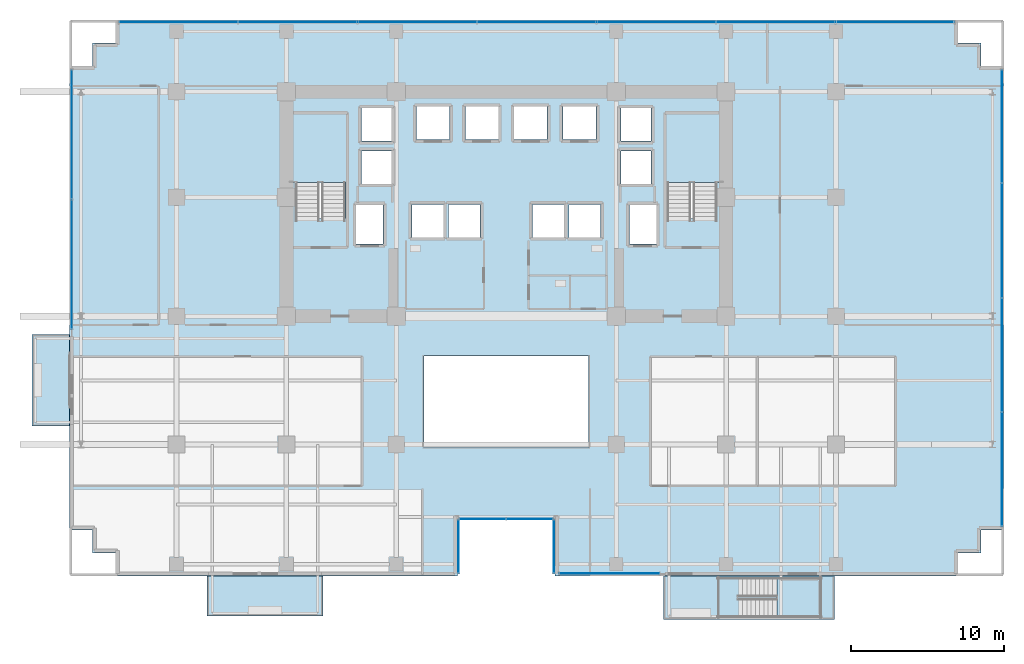
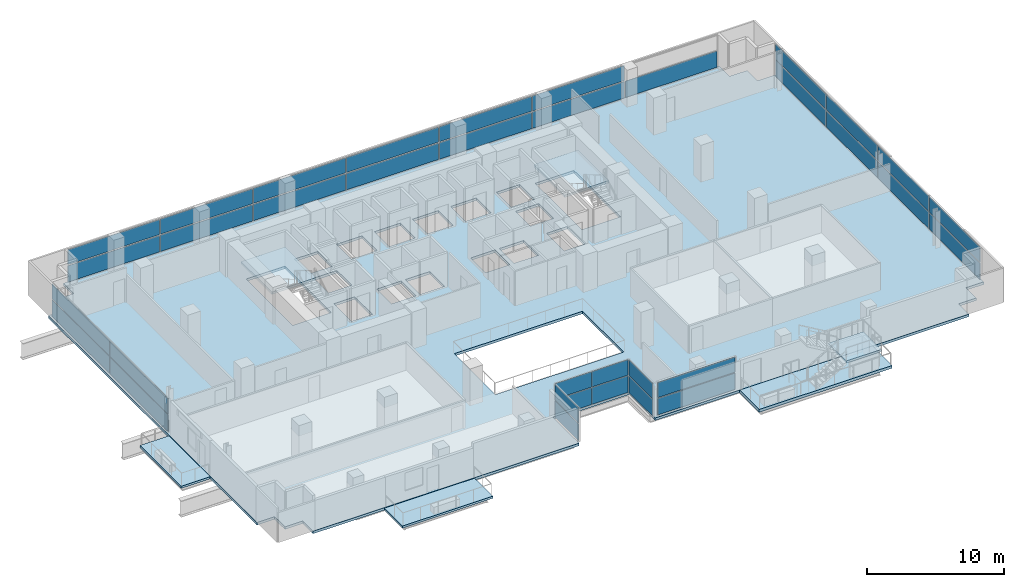
# One storey, part 23 of 31: 35 plates, 7 slabs, 10 elements without a shape of their own.
"""IFC4 building model written with IfcOpenShell, lengths in metres."""

import ifcopenshell
import ifcopenshell.guid

model = None  # the IFC model being written
_history = None  # IfcOwnerHistory: only IFC2X3 demands one
_inside = {}  # id of a spatial element -> (the spatial element, [elements in it])
_under = {}  # id of a project, library or spatial element -> (it, [spatial elements below it])
_declared = {}  # id of a project -> (the project, [libraries it declares])
_typed = {}  # id of a type object -> (the type object, [elements of that type])
_made_of = {}  # id of a material, layer set ... -> (it, [elements and type objects made of it])


def new_model(schema):
    """Start an empty IFC model of exactly this schema.

    Asked for "IFC4X3", IfcOpenShell would pick the latest addendum, in which some entities
    have other attributes; the version numbers below select the first issue.
    IFC2X3 requires an IfcOwnerHistory on every rooted entity: one is made here for all.
    """
    global model, _history
    if schema == "IFC4X3":
        model = ifcopenshell.file(schema_version=(4, 3, 0, 0))
    else:
        model = ifcopenshell.file(schema=schema)
    _inside.clear()
    _under.clear()
    _declared.clear()
    _typed.clear()
    _made_of.clear()
    _history = None
    if model.schema == "IFC2X3":
        org = make("IfcOrganization", Name="unknown")
        user = make(
            "IfcPersonAndOrganization",
            ThePerson=make("IfcPerson", FamilyName="unknown"),
            TheOrganization=org,
        )
        app = make(
            "IfcApplication",
            ApplicationDeveloper=org,
            Version="unknown",
            ApplicationFullName="unknown",
            ApplicationIdentifier="unknown",
        )
        _history = make(
            "IfcOwnerHistory",
            OwningUser=user,
            OwningApplication=app,
            ChangeAction="ADDED",
            CreationDate=0,
        )
    return model


def make(cls, **values):
    """One entity of the class cls with the attributes given. An attribute that is None is left unset."""
    return model.create_entity(
        cls, **{name: value for name, value in values.items() if value is not None}
    )


def rooted(cls, **values):
    """An entity with a GlobalId (a new one), such as an element, a storey or a relation."""
    return make(cls, GlobalId=ifcopenshell.guid.new(), OwnerHistory=_history, **values)


def si_unit(unit_type, name, prefix=None):
    """IfcSIUnit, for example si_unit("LENGTHUNIT", "METRE", prefix="MILLI")."""
    return make("IfcSIUnit", UnitType=unit_type, Prefix=prefix, Name=name)


def assignment(units):
    """IfcUnitAssignment: the units of a project."""
    return None if units is None else make("IfcUnitAssignment", Units=units)


def point(xyz):
    """IfcCartesianPoint."""
    return None if xyz is None else make("IfcCartesianPoint", Coordinates=xyz)


def direction(xyz):
    """IfcDirection."""
    return None if xyz is None else make("IfcDirection", DirectionRatios=xyz)


def frame(location, z_axis=None, x_axis=None):
    """IfcAxis2Placement3D, a coordinate frame: its origin and axes. An axis left out is left unset."""
    return make(
        "IfcAxis2Placement3D",
        Location=point(location),
        Axis=direction(z_axis),
        RefDirection=direction(x_axis),
    )


def frame_2d(location, x_axis=None):
    """IfcAxis2Placement2D, a coordinate frame in the plane: its origin and x axis."""
    return make(
        "IfcAxis2Placement2D", Location=point(location), RefDirection=direction(x_axis)
    )


def origin():
    """The frame at (0, 0, 0) with its axes left unset."""
    return frame((0.0, 0.0, 0.0))


def origin_2d():
    """The frame at (0, 0) in the plane with its x axis left unset."""
    return frame_2d((0.0, 0.0))


def place(relative_to, where):
    """IfcLocalPlacement: puts the frame where relative to a parent placement (None: the world)."""
    return make(
        "IfcLocalPlacement", PlacementRelTo=relative_to, RelativePlacement=where
    )


def context(
    kind, dimensions, precision=None, world=None, true_north=None, identifier=None
):
    """IfcGeometricRepresentationContext, for example the 3D "Model" context."""
    return make(
        "IfcGeometricRepresentationContext",
        ContextIdentifier=identifier,
        ContextType=kind,
        CoordinateSpaceDimension=dimensions,
        Precision=precision,
        WorldCoordinateSystem=world,
        TrueNorth=true_north,
    )


def subcontext(parent, identifier, kind, view, scale=None):
    """IfcGeometricRepresentationSubContext, for example "Body" below "Model"."""
    return make(
        "IfcGeometricRepresentationSubContext",
        ContextIdentifier=identifier,
        ContextType=kind,
        ParentContext=parent,
        TargetScale=scale,
        TargetView=view,
    )


def project(units=None, contexts=None):
    """IfcProject with its units and contexts."""
    return rooted(
        "IfcProject",
        Name="project",
        RepresentationContexts=contexts,
        UnitsInContext=assignment(units),
    )


def spatial(cls, under=None, at=None, **own):
    """A site, building, storey or space (cls), placed at a placement, below another one or the project."""
    s = rooted(cls, ObjectPlacement=at, **own)
    if under is not None:
        _under.setdefault(under.id(), (under, []))[1].append(s)
    return s


def polyline(points):
    """IfcPolyline through the points."""
    return make("IfcPolyline", Points=[point(p) for p in points])


def profile(cls, at=None, kind="AREA", **sizes):
    """A parametric profile (cls). Its sizes go by their IFC names, for example OverallWidth=200.0."""
    return make(cls, ProfileType=kind, Position=at, **sizes)


def rectangle(**sizes):
    """IfcRectangleProfileDef."""
    return profile("IfcRectangleProfileDef", **sizes)


def outline(outer, holes=None, kind="AREA"):
    """IfcArbitraryClosedProfileDef: a profile drawn as a closed curve; with holes, ...WithVoids."""
    if holes is None:
        return make("IfcArbitraryClosedProfileDef", ProfileType=kind, OuterCurve=outer)
    return make(
        "IfcArbitraryProfileDefWithVoids",
        ProfileType=kind,
        OuterCurve=outer,
        InnerCurves=holes,
    )


def extrude(swept, where, along, depth):
    """IfcExtrudedAreaSolid: the profile swept, set in the frame where, extruded along a direction by depth."""
    return make(
        "IfcExtrudedAreaSolid",
        SweptArea=swept,
        Position=where,
        ExtrudedDirection=direction(along),
        Depth=depth,
    )


def shape(context_of_items, identifier, shape_type, items):
    """IfcShapeRepresentation: the items that make up one representation, for example the "Body"."""
    return make(
        "IfcShapeRepresentation",
        ContextOfItems=context_of_items,
        RepresentationIdentifier=identifier,
        RepresentationType=shape_type,
        Items=items,
    )


def source(mapping_origin, context_of_items, identifier, shape_type, items):
    """IfcRepresentationMap: a shape defined once, which mapped items show again and again."""
    return make(
        "IfcRepresentationMap",
        MappingOrigin=mapping_origin,
        MappedRepresentation=shape(context_of_items, identifier, shape_type, items),
    )


def transform(
    local_origin,
    x_axis=None,
    y_axis=None,
    z_axis=None,
    scale=None,
    scale2=None,
    scale3=None,
    uniform=True,
):
    """IfcCartesianTransformationOperator3D, or its non-uniform kind. x_axis, y_axis, z_axis: its Axis1, 2, 3."""
    if uniform:
        return make(
            "IfcCartesianTransformationOperator3D",
            Axis1=direction(x_axis),
            Axis2=direction(y_axis),
            LocalOrigin=point(local_origin),
            Scale=scale,
            Axis3=direction(z_axis),
        )
    return make(
        "IfcCartesianTransformationOperator3DnonUniform",
        Axis1=direction(x_axis),
        Axis2=direction(y_axis),
        LocalOrigin=point(local_origin),
        Scale=scale,
        Axis3=direction(z_axis),
        Scale2=scale2,
        Scale3=scale3,
    )


def mapped(mapping_source, mapping_target):
    """IfcMappedItem: shows the shape of a source again, moved by a transform."""
    return make(
        "IfcMappedItem", MappingSource=mapping_source, MappingTarget=mapping_target
    )


def material(Name=None, Category=None):
    """IfcMaterial."""
    return make("IfcMaterial", Name=Name, Category=Category)


def layer(
    of_material, thickness, ventilated=None, Name=None, Category=None, Priority=None
):
    """IfcMaterialLayer: one layer of a wall or slab, of a material (None: an air gap)."""
    return make(
        "IfcMaterialLayer",
        Material=of_material,
        LayerThickness=thickness,
        IsVentilated=ventilated,
        Name=Name,
        Category=Category,
        Priority=Priority,
    )


def layer_set(layers, Name=None):
    """IfcMaterialLayerSet."""
    return make("IfcMaterialLayerSet", MaterialLayers=layers, LayerSetName=Name)


def made_of(thing, what):
    """Note that an element or type object is made of a material, layer set ...; save() writes the relation."""
    if what is not None:
        _made_of.setdefault(what.id(), (what, []))[1].append(thing)
    return thing


def type_object(cls, material=None, **own):
    """A type object (cls), such as IfcWallType, which elements share."""
    return made_of(rooted(cls, **own), material)


def element(
    cls,
    number,
    at=None,
    inside=None,
    cuts=None,
    type_object=None,
    material=None,
    context=None,
    identifier="Body",
    shape_type=None,
    held_by="IfcProductDefinitionShape",
    body=None,
    shapes=None,
    **own,
):
    """One element of the class cls, such as IfcWall. Its Tag is "e" and its number.

    at: its placement. inside: the storey or other place that contains it. cuts: it is an
    opening in that element (IfcRelVoidsElement). A single representation is given by context,
    identifier, shape_type and body (its items); several are given by shapes. held_by: the class
    of the entity that holds the representations. save() writes the other relations.
    """
    e = rooted(cls, Tag="e%d" % number, ObjectPlacement=at, **own)
    if body is not None:
        shapes = [shape(context, identifier, shape_type, body)]
    if shapes is not None:
        e.Representation = make(held_by, Representations=shapes)
    if inside is not None:
        _inside.setdefault(inside.id(), (inside, []))[1].append(e)
    if cuts is not None:
        rooted(
            "IfcRelVoidsElement", RelatingBuildingElement=cuts, RelatedOpeningElement=e
        )
    if type_object is not None:
        _typed.setdefault(type_object.id(), (type_object, []))[1].append(e)
    return made_of(e, material)


def aggregate(whole, parts):
    """IfcRelAggregates: a whole, such as a stair, and the parts it consists of."""
    return rooted("IfcRelAggregates", RelatingObject=whole, RelatedObjects=parts)


def save(model, path):
    """Write the relations noted so far, then the file.

    IfcRelAggregates (storeys below a building ...), IfcRelContainedInSpatialStructure (elements
    in a storey), IfcRelDefinesByType, IfcRelAssociatesMaterial and IfcRelDeclares: one each for
    every whole, place, type object, material and project.
    """
    for whole, parts in _under.values():
        aggregate(whole, parts)
    for where, things in _inside.values():
        rooted(
            "IfcRelContainedInSpatialStructure",
            RelatedElements=things,
            RelatingStructure=where,
        )
    for kind, things in _typed.values():
        rooted("IfcRelDefinesByType", RelatedObjects=things, RelatingType=kind)
    for what, things in _made_of.values():
        rooted("IfcRelAssociatesMaterial", RelatedObjects=things, RelatingMaterial=what)
    for by, libraries in _declared.values():
        rooted("IfcRelDeclares", RelatingContext=by, RelatedDefinitions=libraries)
    model.write(path)


model = new_model("IFC4")

# Units and contexts
model_context = context("Model", 3, precision=1e-05, world=origin(), true_north=direction((0.0, 1.0)))
body_context = subcontext(model_context, "Body", "Model", "MODEL_VIEW")
ifc_project = project(units=[si_unit("LENGTHUNIT", "METRE"), si_unit("AREAUNIT", "SQUARE_METRE"), si_unit("VOLUMEUNIT", "CUBIC_METRE"), si_unit("PLANEANGLEUNIT", "RADIAN"), si_unit("MASSUNIT", "GRAM", prefix="KILO")], contexts=[model_context])

# Site, building, storey
site_placement = place(None, origin())
site = spatial("IfcSite", under=ifc_project, at=site_placement, CompositionType="ELEMENT")
building_placement = place(site_placement, origin())
building = spatial("IfcBuilding", under=site, at=building_placement, Name="Zarnakvel Exchange Tower", CompositionType="ELEMENT")
storey_placement = place(building_placement, frame((0.0, 0.0, 53.800048828125)))
storey = spatial("IfcBuildingStorey", under=building, at=storey_placement, Name="L14", CompositionType="ELEMENT", Elevation=53.800048828125)

# Stair, slab
ifc_material_1 = material(Name="Concrete C40/50", Category="concrete")
stair_type_1 = type_object("IfcStairType", Name="STR-01", PredefinedType="HALF_TURN_STAIR", material=ifc_material_1)
stair_1_placement = place(storey_placement, origin())
stair_1 = element("IfcStair", 1, at=stair_1_placement, inside=storey, type_object=stair_type_1, Name="L14 Protected Core Exit Stair ST-01", PredefinedType="HALF_TURN_STAIR")
ifc_layer_1 = layer(ifc_material_1, 0.199951171875)
ifc_layer_set_1 = layer_set([ifc_layer_1], Name="Concrete C40/50")
slab_type_1 = type_object("IfcSlabType", Name="LDG-01", PredefinedType="LANDING", material=ifc_layer_set_1)
slab_1_placement = place(storey_placement, frame((0.0, 0.0, 1.449951171875)))
slab_1 = element("IfcSlab", 2, at=slab_1_placement, type_object=slab_type_1, Name="ST-01 landing 1", PredefinedType="LANDING", context=body_context, shape_type="SweptSolid", body=[
    extrude(outline(polyline([(-14.18994140625, 7.570068359375), (-10.4599609375, 7.570068359375), (-10.4599609375, 12.080078125), (-14.18994140625, 12.080078125), (-14.18994140625, 7.570068359375)])), origin(), (0.0, 0.0, 1.0), 0.199951171875),
])
aggregate(stair_1, [slab_1])

stair_2_placement = place(storey_placement, origin())
stair_2 = element("IfcStair", 3, at=stair_2_placement, inside=storey, type_object=stair_type_1, Name="L14 Protected Core Exit Stair ST-02", PredefinedType="HALF_TURN_STAIR")
slab_2_placement = place(storey_placement, frame((0.0, 0.0, 1.449951171875)))
slab_2 = element("IfcSlab", 4, at=slab_2_placement, type_object=slab_type_1, Name="ST-02 landing 1", PredefinedType="LANDING", context=body_context, shape_type="SweptSolid", body=[
    extrude(outline(polyline([(10.4599609375, 7.570068359375), (14.18994140625, 7.570068359375), (14.18994140625, 12.080078125), (10.4599609375, 12.080078125), (10.4599609375, 7.570068359375)])), origin(), (0.0, 0.0, 1.0), 0.199951171875),
])
aggregate(stair_2, [slab_2])

stair_type_2 = type_object("IfcStairType", Name="STR-05", PredefinedType="HALF_TURN_STAIR", material=ifc_material_1)
stair_3_placement = place(storey_placement, origin())
stair_3 = element("IfcStair", 5, at=stair_3_placement, inside=storey, type_object=stair_type_2, Name="L14 Spiral Sky-Terrace Connecting Stair ST-08", PredefinedType="HALF_TURN_STAIR")
slab_3_placement = place(storey_placement, frame((0.0, 0.0, 1.449951171875)))
slab_3 = element("IfcSlab", 6, at=slab_3_placement, type_object=slab_type_1, Name="ST-08 landing 1", PredefinedType="LANDING", context=body_context, shape_type="SweptSolid", body=[
    extrude(outline(polyline([(17.719970703125, -20.93994140625), (20.64990234375, -20.93994140625), (20.64990234375, -18.320068359375), (17.719970703125, -18.320068359375), (17.719970703125, -20.93994140625)])), origin(), (0.0, 0.0, 1.0), 0.199951171875),
])
aggregate(stair_3, [slab_3])

# Slabs
ifc_layer_2 = layer(ifc_material_1, 0.22509765625)
ifc_layer_set_2 = layer_set([ifc_layer_2], Name="Concrete C40/50")
slab_type_2 = type_object("IfcSlabType", Name="SL-04", PredefinedType="FLOOR", material=ifc_layer_set_2)
slab_4_placement = place(storey_placement, frame((0.0, 0.0, -0.22509765625)))
element("IfcSlab", 7, at=slab_4_placement, inside=storey, type_object=slab_type_2, Name="L14 Primary Structural Floor Slab", PredefinedType="FLOOR", context=body_context, shape_type="SweptSolid", body=[
    extrude(outline(polyline([(-28.60009765625, -15.199951171875), (-27.10009765625, -15.199951171875), (-27.10009765625, -16.699951171875), (-25.60009765625, -16.699951171875), (-25.60009765625, -18.199951171875), (-3.199951171875, -18.199951171875), (-3.199951171875, -14.39990234375), (3.199951171875, -14.39990234375), (3.199951171875, -18.199951171875), (29.60009765625, -18.199951171875), (29.60009765625, -16.699951171875), (31.10009765625, -16.699951171875), (31.10009765625, -15.199951171875), (32.60009765625, -15.199951171875), (32.60009765625, 15.199951171875), (31.10009765625, 15.199951171875), (31.10009765625, 16.699951171875), (29.60009765625, 16.699951171875), (29.60009765625, 18.199951171875), (-25.60009765625, 18.199951171875), (-25.60009765625, 16.699951171875), (-27.10009765625, 16.699951171875), (-27.10009765625, 15.199951171875), (-28.60009765625, 15.199951171875), (-28.60009765625, -15.199951171875)]), holes=[polyline([(-5.39990234375, -9.800048828125), (5.39990234375, -9.800048828125), (5.39990234375, -3.800048828125), (-5.39990234375, -3.800048828125), (-5.39990234375, -9.800048828125)]), polyline([(-13.800048828125, 5.2099609375), (-10.5400390625, 5.2099609375), (-10.5400390625, 12.0), (-13.800048828125, 12.0), (-13.800048828125, 5.2099609375)]), polyline([(10.5400390625, 5.2099609375), (13.800048828125, 5.2099609375), (13.800048828125, 12.0), (10.5400390625, 12.0), (10.5400390625, 5.2099609375)]), polyline([(-9.830078125, 3.52001953125), (-8.070068359375, 3.52001953125), (-8.070068359375, 6.080078125), (-9.830078125, 6.080078125), (-9.830078125, 3.52001953125)]), polyline([(8.070068359375, 3.52001953125), (9.830078125, 3.52001953125), (9.830078125, 6.080078125), (8.070068359375, 6.080078125), (8.070068359375, 3.52001953125)]), polyline([(-5.8798828125, 10.3701171875), (-3.719970703125, 10.3701171875), (-3.719970703125, 12.530029296875), (-5.8798828125, 12.530029296875), (-5.8798828125, 10.3701171875)]), polyline([(-2.679931640625, 10.3701171875), (-0.52001953125, 10.3701171875), (-0.52001953125, 12.530029296875), (-2.679931640625, 12.530029296875), (-2.679931640625, 10.3701171875)]), polyline([(0.52001953125, 10.3701171875), (2.679931640625, 10.3701171875), (2.679931640625, 12.530029296875), (0.52001953125, 12.530029296875), (0.52001953125, 10.3701171875)]), polyline([(3.719970703125, 10.3701171875), (5.8798828125, 10.3701171875), (5.8798828125, 12.530029296875), (3.719970703125, 12.530029296875), (3.719970703125, 10.3701171875)]), polyline([(-6.179931640625, 3.969970703125), (-4.1201171875, 3.969970703125), (-4.1201171875, 6.1298828125), (-6.179931640625, 6.1298828125), (-6.179931640625, 3.969970703125)]), polyline([(-3.780029296875, 3.969970703125), (-1.719970703125, 3.969970703125), (-1.719970703125, 6.1298828125), (-3.780029296875, 6.1298828125), (-3.780029296875, 3.969970703125)]), polyline([(1.719970703125, 3.969970703125), (3.780029296875, 3.969970703125), (3.780029296875, 6.1298828125), (1.719970703125, 6.1298828125), (1.719970703125, 3.969970703125)]), polyline([(4.1201171875, 3.969970703125), (6.179931640625, 3.969970703125), (6.179931640625, 6.1298828125), (4.1201171875, 6.1298828125), (4.1201171875, 3.969970703125)]), polyline([(-9.47998046875, 7.469970703125), (-7.52001953125, 7.469970703125), (-7.52001953125, 9.6298828125), (-9.47998046875, 9.6298828125), (-9.47998046875, 7.469970703125)]), polyline([(-9.47998046875, 10.27001953125), (-7.52001953125, 10.27001953125), (-7.52001953125, 12.429931640625), (-9.47998046875, 12.429931640625), (-9.47998046875, 10.27001953125)]), polyline([(7.52001953125, 7.469970703125), (9.47998046875, 7.469970703125), (9.47998046875, 9.6298828125), (7.52001953125, 9.6298828125), (7.52001953125, 7.469970703125)]), polyline([(7.52001953125, 10.27001953125), (9.47998046875, 10.27001953125), (9.47998046875, 12.429931640625), (7.52001953125, 12.429931640625), (7.52001953125, 10.27001953125)])]), origin(), (0.0, 0.0, 1.0), 0.22509765625),
])
ifc_layer_3 = layer(ifc_material_1, 0.25)
ifc_layer_set_3 = layer_set([ifc_layer_3], Name="Concrete C40/50")
slab_type_3 = type_object("IfcSlabType", Name="SL-07", PredefinedType="ROOF", material=ifc_layer_set_3)
slab_5_placement = place(storey_placement, frame((0.0, 0.0, -0.25)))
element("IfcSlab", 8, at=slab_5_placement, inside=storey, type_object=slab_type_3, Name="L14 Spiral Sky-Terrace Outdoor Slab (SE)", PredefinedType="ROOF", context=body_context, shape_type="SweptSolid", body=[
    extrude(outline(polyline([(10.300048828125, -21.06005859375), (21.5, -21.06005859375), (21.5, -18.199951171875), (10.300048828125, -18.199951171875), (10.300048828125, -21.06005859375)])), origin(), (0.0, 0.0, 1.0), 0.25),
])
ifc_layer_4 = layer(ifc_material_1, 0.18994140625)
ifc_layer_set_4 = layer_set([ifc_layer_4], Name="Concrete C40/50")
slab_type_4 = type_object("IfcSlabType", Name="SL-08", PredefinedType="USERDEFINED", material=ifc_layer_set_4)
slab_6_placement = place(storey_placement, frame((0.0, 0.0, -0.22509765625)))
element("IfcSlab", 9, at=slab_6_placement, inside=storey, type_object=slab_type_4, Name="L14 Planted Loggia Balcony Slab BAL-L14-SW", ObjectType="BALCONY", PredefinedType="USERDEFINED", context=body_context, shape_type="SweptSolid", body=[
    extrude(outline(polyline([(-19.60009765625, -20.85009765625), (-12.0, -20.85009765625), (-12.0, -18.199951171875), (-19.60009765625, -18.199951171875), (-19.60009765625, -20.85009765625)])), origin(), (0.0, 0.0, 1.0), 0.18994140625),
])
slab_7_placement = place(storey_placement, frame((0.0, 0.0, -0.22509765625)))
element("IfcSlab", 10, at=slab_7_placement, inside=storey, type_object=slab_type_4, Name="L14 Planted Loggia Balcony Slab BAL-L14-W", ObjectType="BALCONY", PredefinedType="USERDEFINED", context=body_context, shape_type="SweptSolid", body=[
    extrude(outline(polyline([(-31.050048828125, -8.39990234375), (-28.60009765625, -8.39990234375), (-28.60009765625, -2.39990234375), (-31.050048828125, -2.39990234375), (-31.050048828125, -8.39990234375)])), origin(), (0.0, 0.0, 1.0), 0.18994140625),
])

# Curtain wall, plate
ifc_material_2 = material(Name="Architectural Bronze Anodised Aluminium", Category="aluminium")
ifc_layer_5 = layer(ifc_material_2, 0.179931640625)
ifc_layer_set_5 = layer_set([ifc_layer_5], Name="Architectural Bronze Anodised Aluminium")
curtain_wall_type_1 = type_object("IfcCurtainWallType", Name="CW-05", PredefinedType="NOTDEFINED", material=ifc_layer_set_5)
curtain_wall_1_placement = place(storey_placement, origin())
curtain_wall_1 = element("IfcCurtainWall", 11, at=curtain_wall_1_placement, inside=storey, type_object=curtain_wall_type_1, Name="L14 Curtain Wall CW-L14-SLW (CW-05)", PredefinedType="NOTDEFINED")
ifc_material_3 = material(Name="Double Low-E Laminated Vision Glass", Category="glass")
ifc_layer_6 = layer(ifc_material_3, 0.02587890625)
ifc_layer_set_6 = layer_set([ifc_layer_6], Name="Double Low-E Laminated Vision Glass")
plate_type_1 = type_object("IfcPlateType", Name="CWP-05", PredefinedType="CURTAIN_PANEL", material=ifc_layer_set_6)
shared_shape_1 = source(origin(), body_context, "Body", "SweptSolid", [
    extrude(rectangle(XDim=3.4599609375, YDim=0.02587890625, at=origin_2d()), origin(), (0.0, 0.0, 1.0), 1.483642578125),
])
plate_1_placement = place(storey_placement, frame((-3.1201171875, -16.280029296875, 0.06982421875), z_axis=(0.0, 0.0, 1.0), x_axis=(0.0, 1.0, 0.0)))
plate_1 = element("IfcPlate", 12, at=plate_1_placement, type_object=plate_type_1, Name="CW-05 panel 1.1", PredefinedType="CURTAIN_PANEL", context=body_context, shape_type="MappedRepresentation", body=[
    mapped(shared_shape_1, transform((0.0, 0.0, 0.0), x_axis=(1.0, 0.0, 0.0), y_axis=(0.0, 1.0, 0.0), z_axis=(0.0, 0.0, 1.0), scale=1.0)),
])

curtain_wall_2_placement = place(storey_placement, origin())
curtain_wall_2 = element("IfcCurtainWall", 13, at=curtain_wall_2_placement, inside=storey, type_object=curtain_wall_type_1, Name="L14 Curtain Wall CW-L14-SLE (CW-05)", PredefinedType="NOTDEFINED")
plate_2_placement = place(storey_placement, frame((3.1201171875, -16.280029296875, 0.06982421875), z_axis=(0.0, 0.0, 1.0), x_axis=(0.0, -1.0, 0.0)))
plate_2 = element("IfcPlate", 14, at=plate_2_placement, type_object=plate_type_1, Name="CW-05 panel 1.1", PredefinedType="CURTAIN_PANEL", context=body_context, shape_type="MappedRepresentation", body=[
    mapped(shared_shape_1, transform((0.0, 0.0, 0.0), x_axis=(1.0, 0.0, 0.0), y_axis=(0.0, 1.0, 0.0), z_axis=(0.0, 0.0, 1.0), scale=1.0)),
])

# Plate
shared_shape_2 = source(origin(), body_context, "Body", "SweptSolid", [
    extrude(rectangle(XDim=3.4599609375, YDim=0.02587890625, at=origin_2d()), origin(), (0.0, 0.0, 1.0), 1.361328125),
])
plate_3_placement = place(storey_placement, frame((-3.1201171875, -16.280029296875, 1.62353515625), z_axis=(0.0, 0.0, 1.0), x_axis=(0.0, 1.0, 0.0)))
plate_3 = element("IfcPlate", 15, at=plate_3_placement, type_object=plate_type_1, Name="CW-05 panel 1.2", PredefinedType="CURTAIN_PANEL", context=body_context, shape_type="MappedRepresentation", body=[
    mapped(shared_shape_2, transform((0.0, 0.0, 0.0), x_axis=(1.0, 0.0, 0.0), y_axis=(0.0, 1.0, 0.0), z_axis=(0.0, 0.0, 1.0), scale=1.0)),
])

aggregate(curtain_wall_1, [plate_1, plate_3])

plate_4_placement = place(storey_placement, frame((3.1201171875, -16.280029296875, 1.62353515625), z_axis=(0.0, 0.0, 1.0), x_axis=(0.0, -1.0, 0.0)))
plate_4 = element("IfcPlate", 16, at=plate_4_placement, type_object=plate_type_1, Name="CW-05 panel 1.2", PredefinedType="CURTAIN_PANEL", context=body_context, shape_type="MappedRepresentation", body=[
    mapped(shared_shape_2, transform((0.0, 0.0, 0.0), x_axis=(1.0, 0.0, 0.0), y_axis=(0.0, 1.0, 0.0), z_axis=(0.0, 0.0, 1.0), scale=1.0)),
])

aggregate(curtain_wall_2, [plate_2, plate_4])

# Curtain wall, plates
curtain_wall_3_placement = place(storey_placement, origin())
curtain_wall_3 = element("IfcCurtainWall", 17, at=curtain_wall_3_placement, inside=storey, type_object=curtain_wall_type_1, Name="L14 Curtain Wall CW-L14-SLB (CW-05)", PredefinedType="NOTDEFINED")
shared_shape_3 = source(origin(), body_context, "Body", "SweptSolid", [
    extrude(rectangle(XDim=3.014892578125, YDim=0.02587890625, at=origin_2d()), origin(), (0.0, 0.0, 1.0), 1.483642578125),
])
plate_5_placement = place(storey_placement, frame((-1.54248046875, -14.47998046875, 0.06982421875), z_axis=(0.0, 0.0, 1.0), x_axis=(1.0, 0.0, 0.0)))
plate_5 = element("IfcPlate", 18, at=plate_5_placement, type_object=plate_type_1, Name="CW-05 panel 1.1", PredefinedType="CURTAIN_PANEL", context=body_context, shape_type="MappedRepresentation", body=[
    mapped(shared_shape_3, transform((0.0, 0.0, 0.0), x_axis=(1.0, 0.0, 0.0), y_axis=(0.0, 1.0, 0.0), z_axis=(0.0, 0.0, 1.0), scale=1.0)),
])
plate_6_placement = place(storey_placement, frame((1.54248046875, -14.47998046875, 0.06982421875), z_axis=(0.0, 0.0, 1.0), x_axis=(1.0, 0.0, 0.0)))
plate_6 = element("IfcPlate", 19, at=plate_6_placement, type_object=plate_type_1, Name="CW-05 panel 2.1", PredefinedType="CURTAIN_PANEL", context=body_context, shape_type="MappedRepresentation", body=[
    mapped(shared_shape_3, transform((0.0, 0.0, 0.0), x_axis=(1.0, 0.0, 0.0), y_axis=(0.0, 1.0, 0.0), z_axis=(0.0, 0.0, 1.0), scale=1.0)),
])
shared_shape_4 = source(origin(), body_context, "Body", "SweptSolid", [
    extrude(rectangle(XDim=3.014892578125, YDim=0.02587890625, at=origin_2d()), origin(), (0.0, 0.0, 1.0), 1.361328125),
])
plate_7_placement = place(storey_placement, frame((-1.54248046875, -14.47998046875, 1.62353515625), z_axis=(0.0, 0.0, 1.0), x_axis=(1.0, 0.0, 0.0)))
plate_7 = element("IfcPlate", 20, at=plate_7_placement, type_object=plate_type_1, Name="CW-05 panel 1.2", PredefinedType="CURTAIN_PANEL", context=body_context, shape_type="MappedRepresentation", body=[
    mapped(shared_shape_4, transform((0.0, 0.0, 0.0), x_axis=(1.0, 0.0, 0.0), y_axis=(0.0, 1.0, 0.0), z_axis=(0.0, 0.0, 1.0), scale=1.0)),
])
plate_8_placement = place(storey_placement, frame((1.54248046875, -14.47998046875, 1.62353515625), z_axis=(0.0, 0.0, 1.0), x_axis=(1.0, 0.0, 0.0)))
plate_8 = element("IfcPlate", 21, at=plate_8_placement, type_object=plate_type_1, Name="CW-05 panel 2.2", PredefinedType="CURTAIN_PANEL", context=body_context, shape_type="MappedRepresentation", body=[
    mapped(shared_shape_4, transform((0.0, 0.0, 0.0), x_axis=(1.0, 0.0, 0.0), y_axis=(0.0, 1.0, 0.0), z_axis=(0.0, 0.0, 1.0), scale=1.0)),
])
aggregate(curtain_wall_3, [plate_5, plate_7, plate_6, plate_8])

ifc_layer_7 = layer(ifc_material_2, 0.239990234375)
ifc_layer_set_7 = layer_set([ifc_layer_7], Name="Architectural Bronze Anodised Aluminium")
curtain_wall_type_2 = type_object("IfcCurtainWallType", Name="CW-02", PredefinedType="NOTDEFINED", material=ifc_layer_set_7)
curtain_wall_4_placement = place(storey_placement, origin())
curtain_wall_4 = element("IfcCurtainWall", 22, at=curtain_wall_4_placement, inside=storey, type_object=curtain_wall_type_2, Name="L14 Curtain Wall CW-L14-N1 (CW-02)", PredefinedType="NOTDEFINED")
ifc_layer_8 = layer(ifc_material_3, 0.031982421875)
ifc_layer_set_8 = layer_set([ifc_layer_8], Name="Double Low-E Laminated Vision Glass")
plate_type_2 = type_object("IfcPlateType", Name="CWP-02", PredefinedType="CURTAIN_PANEL", material=ifc_layer_set_8)
shared_shape_5 = source(origin(), body_context, "Body", "SweptSolid", [
    extrude(rectangle(XDim=7.693603515625, YDim=0.031982421875, at=origin_2d()), origin(), (0.0, 0.0, 1.0), 1.461181640625),
])
plate_9_placement = place(storey_placement, frame((-21.463134765625, 18.06005859375, 0.0849609375), z_axis=(0.0, 0.0, 1.0), x_axis=(1.0, 0.0, 0.0)))
plate_9 = element("IfcPlate", 23, at=plate_9_placement, type_object=plate_type_2, Name="CW-02 panel 1.1", PredefinedType="CURTAIN_PANEL", context=body_context, shape_type="MappedRepresentation", body=[
    mapped(shared_shape_5, transform((0.0, 0.0, 0.0), x_axis=(1.0, 0.0, 0.0), y_axis=(0.0, 1.0, 0.0), z_axis=(0.0, 0.0, 1.0), scale=1.0)),
])
plate_10_placement = place(storey_placement, frame((25.463134765625, 18.06005859375, 0.0849609375), z_axis=(0.0, 0.0, 1.0), x_axis=(1.0, 0.0, 0.0)))
plate_10 = element("IfcPlate", 24, at=plate_10_placement, type_object=plate_type_2, Name="CW-02 panel 7.1", PredefinedType="CURTAIN_PANEL", context=body_context, shape_type="MappedRepresentation", body=[
    mapped(shared_shape_5, transform((0.0, 0.0, 0.0), x_axis=(1.0, 0.0, 0.0), y_axis=(0.0, 1.0, 0.0), z_axis=(0.0, 0.0, 1.0), scale=1.0)),
])
shared_shape_6 = source(origin(), body_context, "Body", "SweptSolid", [
    extrude(rectangle(XDim=7.693603515625, YDim=0.031982421875, at=origin_2d()), origin(), (0.0, 0.0, 1.0), 1.3388671875),
])
plate_11_placement = place(storey_placement, frame((-21.463134765625, 18.06005859375, 1.631103515625), z_axis=(0.0, 0.0, 1.0), x_axis=(1.0, 0.0, 0.0)))
plate_11 = element("IfcPlate", 25, at=plate_11_placement, type_object=plate_type_2, Name="CW-02 panel 1.2", PredefinedType="CURTAIN_PANEL", context=body_context, shape_type="MappedRepresentation", body=[
    mapped(shared_shape_6, transform((0.0, 0.0, 0.0), x_axis=(1.0, 0.0, 0.0), y_axis=(0.0, 1.0, 0.0), z_axis=(0.0, 0.0, 1.0), scale=1.0)),
])
shared_shape_7 = source(origin(), body_context, "Body", "SweptSolid", [
    extrude(rectangle(XDim=7.738525390625, YDim=0.031982421875, at=origin_2d()), origin(), (0.0, 0.0, 1.0), 1.461181640625),
])
plate_12_placement = place(storey_placement, frame((-13.6572265625, 18.06005859375, 0.0849609375), z_axis=(0.0, 0.0, 1.0), x_axis=(1.0, 0.0, 0.0)))
plate_12 = element("IfcPlate", 26, at=plate_12_placement, type_object=plate_type_2, Name="CW-02 panel 2.1", PredefinedType="CURTAIN_PANEL", context=body_context, shape_type="MappedRepresentation", body=[
    mapped(shared_shape_7, transform((0.0, 0.0, 0.0), x_axis=(1.0, 0.0, 0.0), y_axis=(0.0, 1.0, 0.0), z_axis=(0.0, 0.0, 1.0), scale=1.0)),
])
plate_13_placement = place(storey_placement, frame((-5.82861328125, 18.06005859375, 0.0849609375), z_axis=(0.0, 0.0, 1.0), x_axis=(1.0, 0.0, 0.0)))
plate_13 = element("IfcPlate", 27, at=plate_13_placement, type_object=plate_type_2, Name="CW-02 panel 3.1", PredefinedType="CURTAIN_PANEL", context=body_context, shape_type="MappedRepresentation", body=[
    mapped(shared_shape_7, transform((0.0, 0.0, 0.0), x_axis=(1.0, 0.0, 0.0), y_axis=(0.0, 1.0, 0.0), z_axis=(0.0, 0.0, 1.0), scale=1.0)),
])
plate_14_placement = place(storey_placement, frame((2.0, 18.06005859375, 0.0849609375), z_axis=(0.0, 0.0, 1.0), x_axis=(1.0, 0.0, 0.0)))
plate_14 = element("IfcPlate", 28, at=plate_14_placement, type_object=plate_type_2, Name="CW-02 panel 4.1", PredefinedType="CURTAIN_PANEL", context=body_context, shape_type="MappedRepresentation", body=[
    mapped(shared_shape_7, transform((0.0, 0.0, 0.0), x_axis=(1.0, 0.0, 0.0), y_axis=(0.0, 1.0, 0.0), z_axis=(0.0, 0.0, 1.0), scale=1.0)),
])
plate_15_placement = place(storey_placement, frame((9.82861328125, 18.06005859375, 0.0849609375), z_axis=(0.0, 0.0, 1.0), x_axis=(1.0, 0.0, 0.0)))
plate_15 = element("IfcPlate", 29, at=plate_15_placement, type_object=plate_type_2, Name="CW-02 panel 5.1", PredefinedType="CURTAIN_PANEL", context=body_context, shape_type="MappedRepresentation", body=[
    mapped(shared_shape_7, transform((0.0, 0.0, 0.0), x_axis=(1.0, 0.0, 0.0), y_axis=(0.0, 1.0, 0.0), z_axis=(0.0, 0.0, 1.0), scale=1.0)),
])
plate_16_placement = place(storey_placement, frame((17.6572265625, 18.06005859375, 0.0849609375), z_axis=(0.0, 0.0, 1.0), x_axis=(1.0, 0.0, 0.0)))
plate_16 = element("IfcPlate", 30, at=plate_16_placement, type_object=plate_type_2, Name="CW-02 panel 6.1", PredefinedType="CURTAIN_PANEL", context=body_context, shape_type="MappedRepresentation", body=[
    mapped(shared_shape_7, transform((0.0, 0.0, 0.0), x_axis=(1.0, 0.0, 0.0), y_axis=(0.0, 1.0, 0.0), z_axis=(0.0, 0.0, 1.0), scale=1.0)),
])
shared_shape_8 = source(origin(), body_context, "Body", "SweptSolid", [
    extrude(rectangle(XDim=7.738525390625, YDim=0.031982421875, at=origin_2d()), origin(), (0.0, 0.0, 1.0), 1.3388671875),
])
plate_17_placement = place(storey_placement, frame((-13.6572265625, 18.06005859375, 1.631103515625), z_axis=(0.0, 0.0, 1.0), x_axis=(1.0, 0.0, 0.0)))
plate_17 = element("IfcPlate", 31, at=plate_17_placement, type_object=plate_type_2, Name="CW-02 panel 2.2", PredefinedType="CURTAIN_PANEL", context=body_context, shape_type="MappedRepresentation", body=[
    mapped(shared_shape_8, transform((0.0, 0.0, 0.0), x_axis=(1.0, 0.0, 0.0), y_axis=(0.0, 1.0, 0.0), z_axis=(0.0, 0.0, 1.0), scale=1.0)),
])
plate_18_placement = place(storey_placement, frame((-5.82861328125, 18.06005859375, 1.631103515625), z_axis=(0.0, 0.0, 1.0), x_axis=(1.0, 0.0, 0.0)))
plate_18 = element("IfcPlate", 32, at=plate_18_placement, type_object=plate_type_2, Name="CW-02 panel 3.2", PredefinedType="CURTAIN_PANEL", context=body_context, shape_type="MappedRepresentation", body=[
    mapped(shared_shape_8, transform((0.0, 0.0, 0.0), x_axis=(1.0, 0.0, 0.0), y_axis=(0.0, 1.0, 0.0), z_axis=(0.0, 0.0, 1.0), scale=1.0)),
])
plate_19_placement = place(storey_placement, frame((2.0, 18.06005859375, 1.631103515625), z_axis=(0.0, 0.0, 1.0), x_axis=(1.0, 0.0, 0.0)))
plate_19 = element("IfcPlate", 33, at=plate_19_placement, type_object=plate_type_2, Name="CW-02 panel 4.2", PredefinedType="CURTAIN_PANEL", context=body_context, shape_type="MappedRepresentation", body=[
    mapped(shared_shape_8, transform((0.0, 0.0, 0.0), x_axis=(1.0, 0.0, 0.0), y_axis=(0.0, 1.0, 0.0), z_axis=(0.0, 0.0, 1.0), scale=1.0)),
])
plate_20_placement = place(storey_placement, frame((9.82861328125, 18.06005859375, 1.631103515625), z_axis=(0.0, 0.0, 1.0), x_axis=(1.0, 0.0, 0.0)))
plate_20 = element("IfcPlate", 34, at=plate_20_placement, type_object=plate_type_2, Name="CW-02 panel 5.2", PredefinedType="CURTAIN_PANEL", context=body_context, shape_type="MappedRepresentation", body=[
    mapped(shared_shape_8, transform((0.0, 0.0, 0.0), x_axis=(1.0, 0.0, 0.0), y_axis=(0.0, 1.0, 0.0), z_axis=(0.0, 0.0, 1.0), scale=1.0)),
])
plate_21_placement = place(storey_placement, frame((17.6572265625, 18.06005859375, 1.631103515625), z_axis=(0.0, 0.0, 1.0), x_axis=(1.0, 0.0, 0.0)))
plate_21 = element("IfcPlate", 35, at=plate_21_placement, type_object=plate_type_2, Name="CW-02 panel 6.2", PredefinedType="CURTAIN_PANEL", context=body_context, shape_type="MappedRepresentation", body=[
    mapped(shared_shape_8, transform((0.0, 0.0, 0.0), x_axis=(1.0, 0.0, 0.0), y_axis=(0.0, 1.0, 0.0), z_axis=(0.0, 0.0, 1.0), scale=1.0)),
])
aggregate(curtain_wall_4, [plate_9, plate_11, plate_12, plate_17, plate_13, plate_18, plate_14, plate_19, plate_15, plate_20, plate_16, plate_21, plate_10])

ifc_layer_9 = layer(ifc_material_2, 0.199951171875)
ifc_layer_set_9 = layer_set([ifc_layer_9], Name="Architectural Bronze Anodised Aluminium")
curtain_wall_type_3 = type_object("IfcCurtainWallType", Name="CW-04", PredefinedType="NOTDEFINED", material=ifc_layer_set_9)
curtain_wall_5_placement = place(storey_placement, origin())
curtain_wall_5 = element("IfcCurtainWall", 36, at=curtain_wall_5_placement, inside=storey, type_object=curtain_wall_type_3, Name="L14 Curtain Wall CW-L14-WN (CW-04)", PredefinedType="NOTDEFINED")
ifc_layer_10 = layer(ifc_material_3, 0.028076171875)
ifc_layer_set_10 = layer_set([ifc_layer_10], Name="Double Low-E Laminated Vision Glass")
plate_type_3 = type_object("IfcPlateType", Name="CWP-04", PredefinedType="CURTAIN_PANEL", material=ifc_layer_set_10)
shared_shape_9 = source(origin(), body_context, "Body", "SweptSolid", [
    extrude(rectangle(XDim=8.4375, YDim=0.028076171875, at=origin_2d()), origin(), (0.0, 0.0, 1.0), 1.47607421875),
])
plate_22_placement = place(storey_placement, frame((-28.4599609375, 2.19384765625, 0.074951171875), z_axis=(0.0, 0.0, 1.0), x_axis=(0.0, 1.0, 0.0)))
plate_22 = element("IfcPlate", 37, at=plate_22_placement, type_object=plate_type_3, Name="CW-04 panel 1.1", PredefinedType="CURTAIN_PANEL", context=body_context, shape_type="MappedRepresentation", body=[
    mapped(shared_shape_9, transform((0.0, 0.0, 0.0), x_axis=(1.0, 0.0, 0.0), y_axis=(0.0, 1.0, 0.0), z_axis=(0.0, 0.0, 1.0), scale=1.0)),
])
plate_23_placement = place(storey_placement, frame((-28.4599609375, 10.706298828125, 0.074951171875), z_axis=(0.0, 0.0, 1.0), x_axis=(0.0, 1.0, 0.0)))
plate_23 = element("IfcPlate", 38, at=plate_23_placement, type_object=plate_type_3, Name="CW-04 panel 2.1", PredefinedType="CURTAIN_PANEL", context=body_context, shape_type="MappedRepresentation", body=[
    mapped(shared_shape_9, transform((0.0, 0.0, 0.0), x_axis=(1.0, 0.0, 0.0), y_axis=(0.0, 1.0, 0.0), z_axis=(0.0, 0.0, 1.0), scale=1.0)),
])
shared_shape_10 = source(origin(), body_context, "Body", "SweptSolid", [
    extrude(rectangle(XDim=8.4375, YDim=0.028076171875, at=origin_2d()), origin(), (0.0, 0.0, 1.0), 1.35400390625),
])
plate_24_placement = place(storey_placement, frame((-28.4599609375, 2.19384765625, 1.6259765625), z_axis=(0.0, 0.0, 1.0), x_axis=(0.0, 1.0, 0.0)))
plate_24 = element("IfcPlate", 39, at=plate_24_placement, type_object=plate_type_3, Name="CW-04 panel 1.2", PredefinedType="CURTAIN_PANEL", context=body_context, shape_type="MappedRepresentation", body=[
    mapped(shared_shape_10, transform((0.0, 0.0, 0.0), x_axis=(1.0, 0.0, 0.0), y_axis=(0.0, 1.0, 0.0), z_axis=(0.0, 0.0, 1.0), scale=1.0)),
])
plate_25_placement = place(storey_placement, frame((-28.4599609375, 10.706298828125, 1.6259765625), z_axis=(0.0, 0.0, 1.0), x_axis=(0.0, 1.0, 0.0)))
plate_25 = element("IfcPlate", 40, at=plate_25_placement, type_object=plate_type_3, Name="CW-04 panel 2.2", PredefinedType="CURTAIN_PANEL", context=body_context, shape_type="MappedRepresentation", body=[
    mapped(shared_shape_10, transform((0.0, 0.0, 0.0), x_axis=(1.0, 0.0, 0.0), y_axis=(0.0, 1.0, 0.0), z_axis=(0.0, 0.0, 1.0), scale=1.0)),
])
aggregate(curtain_wall_5, [plate_22, plate_24, plate_23, plate_25])

curtain_wall_6_placement = place(storey_placement, origin())
curtain_wall_6 = element("IfcCurtainWall", 41, at=curtain_wall_6_placement, inside=storey, type_object=curtain_wall_type_3, Name="L14 Curtain Wall CW-L14-E1 (CW-04)", PredefinedType="NOTDEFINED")
shared_shape_11 = source(origin(), body_context, "Body", "SweptSolid", [
    extrude(rectangle(XDim=7.387451171875, YDim=0.028076171875, at=origin_2d()), origin(), (0.0, 0.0, 1.0), 1.47607421875),
])
plate_26_placement = place(storey_placement, frame((32.4599609375, -11.231201171875, 0.074951171875), z_axis=(0.0, 0.0, 1.0), x_axis=(0.0, 1.0, 0.0)))
plate_26 = element("IfcPlate", 42, at=plate_26_placement, type_object=plate_type_3, Name="CW-04 panel 1.1", PredefinedType="CURTAIN_PANEL", context=body_context, shape_type="MappedRepresentation", body=[
    mapped(shared_shape_11, transform((0.0, 0.0, 0.0), x_axis=(1.0, 0.0, 0.0), y_axis=(0.0, 1.0, 0.0), z_axis=(0.0, 0.0, 1.0), scale=1.0)),
])
plate_27_placement = place(storey_placement, frame((32.4599609375, 11.231201171875, 0.074951171875), z_axis=(0.0, 0.0, 1.0), x_axis=(0.0, 1.0, 0.0)))
plate_27 = element("IfcPlate", 43, at=plate_27_placement, type_object=plate_type_3, Name="CW-04 panel 4.1", PredefinedType="CURTAIN_PANEL", context=body_context, shape_type="MappedRepresentation", body=[
    mapped(shared_shape_11, transform((0.0, 0.0, 0.0), x_axis=(1.0, 0.0, 0.0), y_axis=(0.0, 1.0, 0.0), z_axis=(0.0, 0.0, 1.0), scale=1.0)),
])
shared_shape_12 = source(origin(), body_context, "Body", "SweptSolid", [
    extrude(rectangle(XDim=7.387451171875, YDim=0.028076171875, at=origin_2d()), origin(), (0.0, 0.0, 1.0), 1.35400390625),
])
plate_28_placement = place(storey_placement, frame((32.4599609375, -11.231201171875, 1.6259765625), z_axis=(0.0, 0.0, 1.0), x_axis=(0.0, 1.0, 0.0)))
plate_28 = element("IfcPlate", 44, at=plate_28_placement, type_object=plate_type_3, Name="CW-04 panel 1.2", PredefinedType="CURTAIN_PANEL", context=body_context, shape_type="MappedRepresentation", body=[
    mapped(shared_shape_12, transform((0.0, 0.0, 0.0), x_axis=(1.0, 0.0, 0.0), y_axis=(0.0, 1.0, 0.0), z_axis=(0.0, 0.0, 1.0), scale=1.0)),
])
plate_29_placement = place(storey_placement, frame((32.4599609375, 11.231201171875, 1.6259765625), z_axis=(0.0, 0.0, 1.0), x_axis=(0.0, 1.0, 0.0)))
plate_29 = element("IfcPlate", 45, at=plate_29_placement, type_object=plate_type_3, Name="CW-04 panel 4.2", PredefinedType="CURTAIN_PANEL", context=body_context, shape_type="MappedRepresentation", body=[
    mapped(shared_shape_12, transform((0.0, 0.0, 0.0), x_axis=(1.0, 0.0, 0.0), y_axis=(0.0, 1.0, 0.0), z_axis=(0.0, 0.0, 1.0), scale=1.0)),
])
shared_shape_13 = source(origin(), body_context, "Body", "SweptSolid", [
    extrude(rectangle(XDim=7.425048828125, YDim=0.028076171875, at=origin_2d()), origin(), (0.0, 0.0, 1.0), 1.47607421875),
])
plate_30_placement = place(storey_placement, frame((32.4599609375, -3.75, 0.074951171875), z_axis=(0.0, 0.0, 1.0), x_axis=(0.0, 1.0, 0.0)))
plate_30 = element("IfcPlate", 46, at=plate_30_placement, type_object=plate_type_3, Name="CW-04 panel 2.1", PredefinedType="CURTAIN_PANEL", context=body_context, shape_type="MappedRepresentation", body=[
    mapped(shared_shape_13, transform((0.0, 0.0, 0.0), x_axis=(1.0, 0.0, 0.0), y_axis=(0.0, 1.0, 0.0), z_axis=(0.0, 0.0, 1.0), scale=1.0)),
])
plate_31_placement = place(storey_placement, frame((32.4599609375, 3.75, 0.074951171875), z_axis=(0.0, 0.0, 1.0), x_axis=(0.0, 1.0, 0.0)))
plate_31 = element("IfcPlate", 47, at=plate_31_placement, type_object=plate_type_3, Name="CW-04 panel 3.1", PredefinedType="CURTAIN_PANEL", context=body_context, shape_type="MappedRepresentation", body=[
    mapped(shared_shape_13, transform((0.0, 0.0, 0.0), x_axis=(1.0, 0.0, 0.0), y_axis=(0.0, 1.0, 0.0), z_axis=(0.0, 0.0, 1.0), scale=1.0)),
])
shared_shape_14 = source(origin(), body_context, "Body", "SweptSolid", [
    extrude(rectangle(XDim=7.425048828125, YDim=0.028076171875, at=origin_2d()), origin(), (0.0, 0.0, 1.0), 1.35400390625),
])
plate_32_placement = place(storey_placement, frame((32.4599609375, -3.75, 1.6259765625), z_axis=(0.0, 0.0, 1.0), x_axis=(0.0, 1.0, 0.0)))
plate_32 = element("IfcPlate", 48, at=plate_32_placement, type_object=plate_type_3, Name="CW-04 panel 2.2", PredefinedType="CURTAIN_PANEL", context=body_context, shape_type="MappedRepresentation", body=[
    mapped(shared_shape_14, transform((0.0, 0.0, 0.0), x_axis=(1.0, 0.0, 0.0), y_axis=(0.0, 1.0, 0.0), z_axis=(0.0, 0.0, 1.0), scale=1.0)),
])
plate_33_placement = place(storey_placement, frame((32.4599609375, 3.75, 1.6259765625), z_axis=(0.0, 0.0, 1.0), x_axis=(0.0, 1.0, 0.0)))
plate_33 = element("IfcPlate", 49, at=plate_33_placement, type_object=plate_type_3, Name="CW-04 panel 3.2", PredefinedType="CURTAIN_PANEL", context=body_context, shape_type="MappedRepresentation", body=[
    mapped(shared_shape_14, transform((0.0, 0.0, 0.0), x_axis=(1.0, 0.0, 0.0), y_axis=(0.0, 1.0, 0.0), z_axis=(0.0, 0.0, 1.0), scale=1.0)),
])
aggregate(curtain_wall_6, [plate_26, plate_28, plate_30, plate_32, plate_31, plate_33, plate_27, plate_29])

curtain_wall_7_placement = place(storey_placement, origin())
curtain_wall_7 = element("IfcCurtainWall", 50, at=curtain_wall_7_placement, inside=storey, type_object=curtain_wall_type_2, Name="L14 Curtain Wall CW-L14-SE (CW-02)", PredefinedType="NOTDEFINED")
shared_shape_15 = source(origin(), body_context, "Body", "SweptSolid", [
    extrude(rectangle(XDim=6.52001953125, YDim=0.031982421875, at=origin_2d()), origin(), (0.0, 0.0, 1.0), 1.461181640625),
])
plate_34_placement = place(storey_placement, frame((6.75, -18.06005859375, 0.0849609375), z_axis=(0.0, 0.0, 1.0), x_axis=(1.0, 0.0, 0.0)))
plate_34 = element("IfcPlate", 51, at=plate_34_placement, type_object=plate_type_2, Name="CW-02 panel 1.1", PredefinedType="CURTAIN_PANEL", context=body_context, shape_type="MappedRepresentation", body=[
    mapped(shared_shape_15, transform((0.0, 0.0, 0.0), x_axis=(1.0, 0.0, 0.0), y_axis=(0.0, 1.0, 0.0), z_axis=(0.0, 0.0, 1.0), scale=1.0)),
])
shared_shape_16 = source(origin(), body_context, "Body", "SweptSolid", [
    extrude(rectangle(XDim=6.52001953125, YDim=0.031982421875, at=origin_2d()), origin(), (0.0, 0.0, 1.0), 1.3388671875),
])
plate_35_placement = place(storey_placement, frame((6.75, -18.06005859375, 1.631103515625), z_axis=(0.0, 0.0, 1.0), x_axis=(1.0, 0.0, 0.0)))
plate_35 = element("IfcPlate", 52, at=plate_35_placement, type_object=plate_type_2, Name="CW-02 panel 1.2", PredefinedType="CURTAIN_PANEL", context=body_context, shape_type="MappedRepresentation", body=[
    mapped(shared_shape_16, transform((0.0, 0.0, 0.0), x_axis=(1.0, 0.0, 0.0), y_axis=(0.0, 1.0, 0.0), z_axis=(0.0, 0.0, 1.0), scale=1.0)),
])
aggregate(curtain_wall_7, [plate_34, plate_35])

save(model, "model.ifc")
